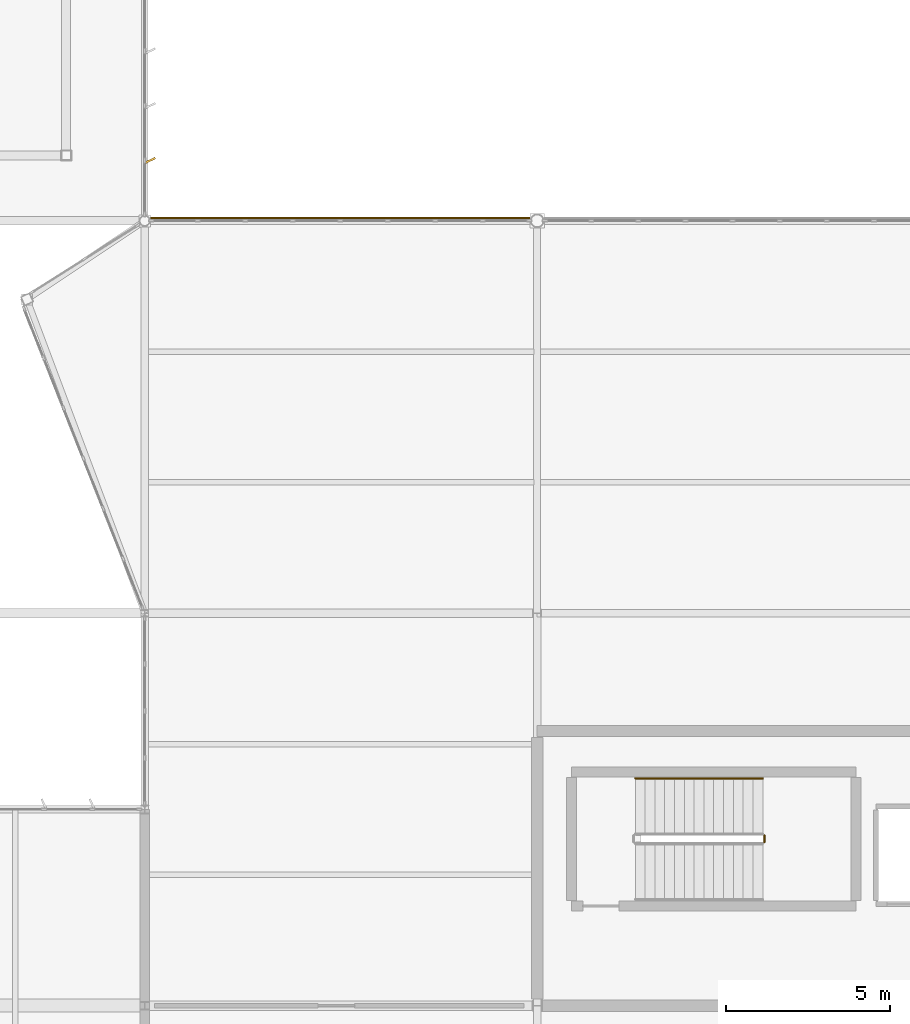
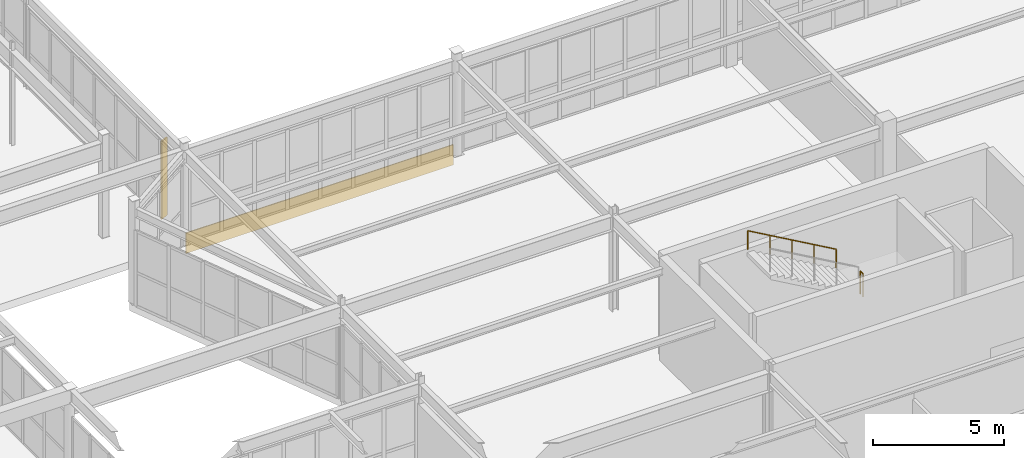
# One storey, part 179 of 186: 2 railings, 1 covering, 1 shading device.
"""IFC4 building model written with IfcOpenShell, lengths in metres."""

from ifc_helpers import new_model, si_unit, direction, frame, origin, origin_2d, place, context, subcontext, project, spatial, rectangle, circle, extrude, material, layer, layer_set, type_object, element, save


model = new_model("IFC4")

# Units and contexts
model_context = context("Model", 3, precision=1e-05, world=origin(), true_north=direction((0.0, 1.0)))
body_context = subcontext(model_context, "Body", "Model", "MODEL_VIEW")
ifc_project = project(units=[si_unit("LENGTHUNIT", "METRE"), si_unit("AREAUNIT", "SQUARE_METRE"), si_unit("VOLUMEUNIT", "CUBIC_METRE"), si_unit("PLANEANGLEUNIT", "RADIAN"), si_unit("MASSUNIT", "GRAM", prefix="KILO")], contexts=[model_context])

# Site, building, storey
site_placement = place(None, origin())
site = spatial("IfcSite", under=ifc_project, at=site_placement, CompositionType="ELEMENT")
building_placement = place(site_placement, origin())
building = spatial("IfcBuilding", under=site, at=building_placement, Name="Tarnwether General Hospital", CompositionType="ELEMENT")
storey_placement = place(building_placement, frame((0.0, 0.0, 9.60009765625)))
storey = spatial("IfcBuildingStorey", under=building, at=storey_placement, Name="L02", CompositionType="ELEMENT", Elevation=9.60009765625)

# Covering
ifc_material_1 = material(Name="Folded zinc-titanium cladding")
ifc_layer_1 = layer(ifc_material_1, 0.0400390625)
ifc_layer_set_1 = layer_set([ifc_layer_1], Name="Folded zinc-titanium cladding")
covering_type = type_object("IfcCoveringType", Name="CV-CLD-ZNC", PredefinedType="CLADDING", material=ifc_layer_set_1)
covering_placement = place(storey_placement, frame((150.0, 45.68994140625, -0.55517578125), z_axis=(0.0, 0.0, 1.0), x_axis=(1.0, 0.0, 0.0)))
element("IfcCovering", 1, at=covering_placement, inside=storey, type_object=covering_type, Name="Deconstructivist Faceted Zinc Spandrel Blade 027", PredefinedType="CLADDING", context=body_context, shape_type="SweptSolid", body=[
    extrude(rectangle(XDim=11.800048828125, YDim=0.0400390625, at=origin_2d()), origin(), (0.0, 0.0, 1.0), 0.949951171875),
])

# Railings
ifc_material_2 = material(Name="Anodised aluminium", Category="aluminium")
railing_type_1 = type_object("IfcRailingType", Name="RL-GRD-INT", PredefinedType="GUARDRAIL", material=ifc_material_2)
railing_1_placement = place(storey_placement, frame((162.949951171875, 26.60009765625, 2.39990234375)))
element("IfcRailing", 2, at=railing_1_placement, inside=storey, type_object=railing_type_1, Name="L02 ST-05 stair guard 2", PredefinedType="GUARDRAIL", context=body_context, shape_type="SweptSolid", body=[
    extrude(circle(Radius=0.02392578125, at=origin_2d()), frame((0.0, 0.0, 1.076171875), z_axis=(0.0, 1.0, 0.0), x_axis=(-1.0, 0.0, 0.0)), (0.0, 0.0, 1.0), 0.199951171875),
    extrude(circle(Radius=0.02099609375, at=origin_2d()), origin(), (0.0, 0.0, 1.0), 1.052001953125),
    extrude(circle(Radius=0.02099609375, at=origin_2d()), frame((0.0, 0.199951171875, 0.0)), (0.0, 0.0, 1.0), 1.052001953125),
])
ifc_material_3 = material(Name="Anodised aluminium", Category="aluminium")
railing_type_2 = type_object("IfcRailingType", Name="RL-HND-INT", PredefinedType="HANDRAIL", material=ifc_material_3)
railing_2_placement = place(storey_placement, frame((162.89990234375, 28.550048828125, 2.5712890625)))
element("IfcRailing", 3, at=railing_2_placement, inside=storey, type_object=railing_type_2, Name="L02 ST-05 stair handrail 2", PredefinedType="HANDRAIL", context=body_context, shape_type="SweptSolid", body=[
    extrude(circle(Radius=0.02392578125, at=origin_2d()), frame((0.0, 0.0, 0.8759765625), z_axis=(-0.868243142124, 0.0, 0.496138938357), x_axis=(0.0, -1.0, 0.0)), (0.0, 0.0, 1.0), 4.49169921875),
    extrude(circle(Radius=0.02099609375, at=origin_2d()), origin(), (0.0, 0.0, 1.0), 0.851806640625),
    extrude(circle(Radius=0.02099609375, at=origin_2d()), frame((-0.97509765625, 0.0, 0.55712890625)), (0.0, 0.0, 1.0), 0.851806640625),
    extrude(circle(Radius=0.02099609375, at=origin_2d()), frame((-1.949951171875, 0.0, 1.1142578125)), (0.0, 0.0, 1.0), 0.851806640625),
    extrude(circle(Radius=0.02099609375, at=origin_2d()), frame((-2.9248046875, 0.0, 1.67138671875)), (0.0, 0.0, 1.0), 0.851806640625),
    extrude(circle(Radius=0.02099609375, at=origin_2d()), frame((-3.89990234375, 0.0, 2.228515625)), (0.0, 0.0, 1.0), 0.851806640625),
])

# Shading device
ifc_material_4 = material(Name="Champagne-bronze anodised aluminium", Category="aluminium")
ifc_layer_2 = layer(ifc_material_4, 0.06005859375)
ifc_layer_set_2 = layer_set([ifc_layer_2], Name="Champagne-bronze anodised aluminium")
shading_device_type = type_object("IfcShadingDeviceType", Name="SH-FIN-BRZ", PredefinedType="USERDEFINED", material=ifc_layer_set_2)
shading_device_placement = place(storey_placement, frame((144.159912109375, 47.444091796875, 0.0498046875), z_axis=(0.0, 0.0, 1.0), x_axis=(0.422618261741, -0.906307787037, 0.0)))
element("IfcShadingDevice", 4, at=shading_device_placement, inside=storey, type_object=shading_device_type, Name="Champagne-Bronze Brise-Soleil Fin 0431", ObjectType="SOLAR FIN", PredefinedType="USERDEFINED", context=body_context, shape_type="SweptSolid", body=[
    extrude(rectangle(XDim=0.06005859375, YDim=0.360107421875, at=origin_2d()), origin(), (0.0, 0.0, 1.0), 3.637939453125),
])

save(model, "model.ifc")
